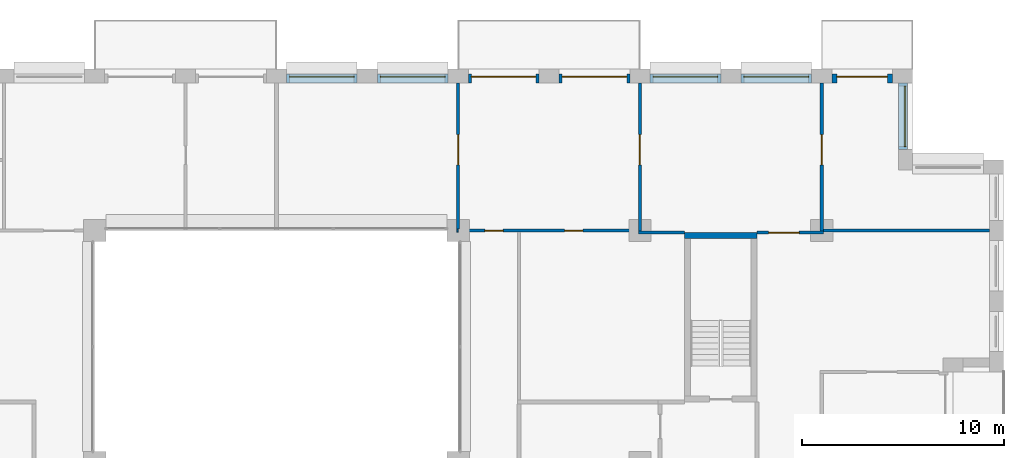
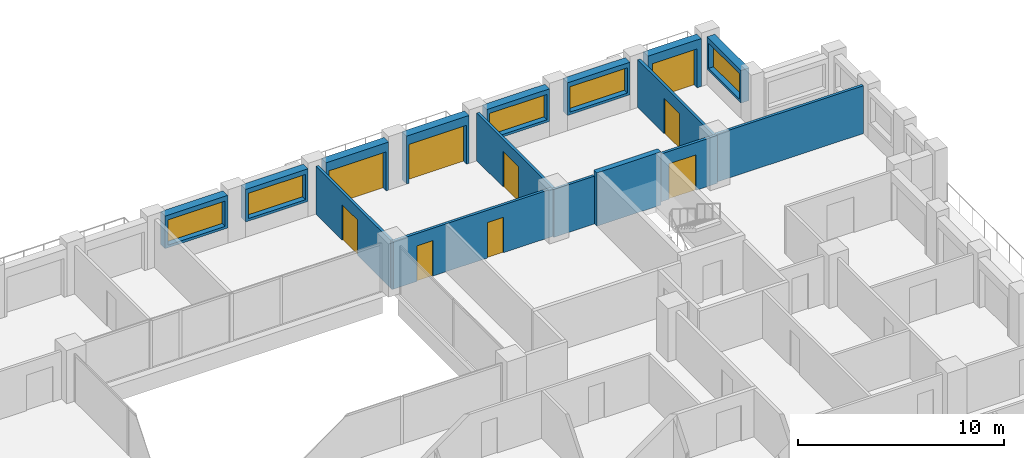
# One storey, part 13 of 15: 17 walls, 9 doors, 5 windows, 14 openings.
"""IFC4 building model written with IfcOpenShell, lengths in metres."""

from ifc_helpers import new_model, si_unit, direction, frame, frame_2d, origin, place, context, subcontext, project, spatial, rectangle, extrude, material, layer, layer_set, type_object, element, fill, save


model = new_model("IFC4")

# Units and contexts
model_context = context("Model", 3, precision=1e-05, world=origin(), true_north=direction((0.0, 1.0)))
body_context = subcontext(model_context, "Body", "Model", "MODEL_VIEW")
ifc_project = project(units=[si_unit("LENGTHUNIT", "METRE"), si_unit("AREAUNIT", "SQUARE_METRE"), si_unit("VOLUMEUNIT", "CUBIC_METRE"), si_unit("PLANEANGLEUNIT", "RADIAN"), si_unit("MASSUNIT", "GRAM", prefix="KILO")], contexts=[model_context])

# Site, building, storey
site_placement = place(None, origin())
site = spatial("IfcSite", under=ifc_project, at=site_placement, CompositionType="ELEMENT")
building_placement = place(site_placement, origin())
building = spatial("IfcBuilding", under=site, at=building_placement, Name="Brigalow Station Residences", CompositionType="ELEMENT")
storey_placement = place(building_placement, frame((0.0, 0.0, 147.60009765625)))
storey = spatial("IfcBuildingStorey", under=building, at=storey_placement, Name="L42", CompositionType="ELEMENT", Elevation=147.60009765625)

# Wall, opening, window
ifc_material_1 = material(Name="Clay brick masonry", Category="masonry")
ifc_layer_1 = layer(ifc_material_1, 0.449951171875)
ifc_layer_set_1 = layer_set([ifc_layer_1], Name="BRICK INFILL WALL 450")
wall_type_1 = type_object("IfcWallType", Name="BRICK INFILL WALL 450", PredefinedType="SOLIDWALL", material=ifc_layer_set_1)
wall_1_placement = place(storey_placement, frame((67.02490234375, 39.5, 0.89990234375), z_axis=(0.0, 0.0, 1.0), x_axis=(0.0, 1.0, 0.0)))
wall_1 = element("IfcWall", 1, at=wall_1_placement, inside=storey, type_object=wall_type_1, Name="L42/ewall/W-L42-21", PredefinedType="SOLIDWALL", context=body_context, shape_type="SweptSolid", body=[
    extrude(rectangle(XDim=3.300048828125, YDim=0.449951171875, at=frame_2d((1.64990234375, 0.0))), origin(), (0.0, 0.0, 1.0), 1.929931640625),
])
opening_1_placement = place(wall_1_placement, frame((0.14990234375, 0.0, 0.14990234375)))
opening_1 = element("IfcOpeningElement", 2, at=opening_1_placement, cuts=wall_1, Name="Opening WT-2", PredefinedType="OPENING", context=body_context, shape_type="SweptSolid", body=[
    extrude(rectangle(XDim=3.0, YDim=1.5, at=frame_2d((1.5, 0.75))), frame((0.0, 0.23486328125, 0.0), z_axis=(0.0, -1.0, 0.0), x_axis=(1.0, 0.0, 0.0)), (0.0, 0.0, 1.0), 0.469970703125),
])
ifc_material_2 = material(Name="Anodised aluminium frame with double glazing", Category="aluminium")
window_type_1 = type_object("IfcWindowType", Name="WINDOW 3000x1500", PartitioningType="SINGLE_PANEL", PredefinedType="WINDOW", material=ifc_material_2)
window_1_placement = place(opening_1_placement, origin())
window_1 = element("IfcWindow", 3, at=window_1_placement, inside=storey, type_object=window_type_1, Name="L42/window/W-L42-21", OverallHeight=1.5, OverallWidth=3.0, PartitioningType="SINGLE_PANEL", PredefinedType="WINDOW", context=body_context, shape_type="SweptSolid", body=[
    extrude(rectangle(XDim=3.0, YDim=1.5, at=frame_2d((1.5, 0.75))), frame((0.0, -0.06494140625, 0.0), z_axis=(0.0, -1.0, 0.0), x_axis=(1.0, 0.0, 0.0)), (0.0, 0.0, 1.0), 0.06005859375),
])
fill(opening_1, window_1)

# Wall, opening, door
wall_2_placement = place(storey_placement, frame((66.5, 43.02490234375, 0.0), z_axis=(0.0, 0.0, 1.0), x_axis=(-1.0, 0.0, 0.0)))
wall_2 = element("IfcWall", 4, at=wall_2_placement, inside=storey, type_object=wall_type_1, Name="L42/ewall/W-L42-22", PredefinedType="SOLIDWALL", context=body_context, shape_type="SweptSolid", body=[
    extrude(rectangle(XDim=3.0, YDim=0.449951171875, at=frame_2d((1.5, 0.0))), origin(), (0.0, 0.0, 1.0), 2.829833984375),
])
opening_2_placement = place(wall_2_placement, frame((0.25, 0.0, 0.0)))
opening_2 = element("IfcOpeningElement", 5, at=opening_2_placement, cuts=wall_2, Name="Opening D-B2500", PredefinedType="OPENING", context=body_context, shape_type="SweptSolid", body=[
    extrude(rectangle(XDim=2.5, YDim=2.300048828125, at=frame_2d((1.25, 1.14990234375))), frame((0.0, 0.23486328125, 0.0), z_axis=(0.0, -1.0, 0.0), x_axis=(1.0, 0.0, 0.0)), (0.0, 0.0, 1.0), 0.469970703125),
])
ifc_material_3 = material(Name="Anodised aluminium frame with double glazing", Category="aluminium")
door_type_1 = type_object("IfcDoorType", Name="BALCONY SLIDING DOOR 2500x2300", OperationType="SLIDING_TO_LEFT", PredefinedType="DOOR", material=ifc_material_3)
door_1_placement = place(opening_2_placement, origin())
door_1 = element("IfcDoor", 6, at=door_1_placement, inside=storey, type_object=door_type_1, Name="L42/balcony-door/W-L42-22", OperationType="SLIDING_TO_LEFT", OverallHeight=2.300048828125, OverallWidth=2.5, PredefinedType="DOOR", context=body_context, shape_type="SweptSolid", body=[
    extrude(rectangle(XDim=2.5, YDim=2.300048828125, at=frame_2d((1.25, 1.14990234375))), frame((0.0, -0.06982421875, 0.0), z_axis=(0.0, -1.0, 0.0), x_axis=(1.0, 0.0, 0.0)), (0.0, 0.0, 1.0), 0.050048828125),
])
fill(opening_2, door_1)

# Wall, opening, window
wall_3_placement = place(storey_placement, frame((62.5, 43.02490234375, 0.89990234375), z_axis=(0.0, 0.0, 1.0), x_axis=(-1.0, 0.0, 0.0)))
wall_3 = element("IfcWall", 7, at=wall_3_placement, inside=storey, type_object=wall_type_1, Name="L42/ewall/W-L42-23", PredefinedType="SOLIDWALL", context=body_context, shape_type="SweptSolid", body=[
    extrude(rectangle(XDim=3.5, YDim=0.449951171875, at=frame_2d((1.75, 0.0))), origin(), (0.0, 0.0, 1.0), 1.929931640625),
])
opening_3_placement = place(wall_3_placement, frame((0.14990234375, 0.0, 0.14990234375)))
opening_3 = element("IfcOpeningElement", 8, at=opening_3_placement, cuts=wall_3, Name="Opening WT-9", PredefinedType="OPENING", context=body_context, shape_type="SweptSolid", body=[
    extrude(rectangle(XDim=3.199951171875, YDim=1.5, at=frame_2d((1.60009765625, 0.75))), frame((0.0, 0.23486328125, 0.0), z_axis=(0.0, -1.0, 0.0), x_axis=(1.0, 0.0, 0.0)), (0.0, 0.0, 1.0), 0.469970703125),
])
ifc_material_4 = material(Name="Anodised aluminium frame with double glazing", Category="aluminium")
window_type_2 = type_object("IfcWindowType", Name="WINDOW 3200x1500", PartitioningType="SINGLE_PANEL", PredefinedType="WINDOW", material=ifc_material_4)
window_2_placement = place(opening_3_placement, origin())
window_2 = element("IfcWindow", 9, at=window_2_placement, inside=storey, type_object=window_type_2, Name="L42/window/W-L42-23", OverallHeight=1.5, OverallWidth=3.199951171875, PartitioningType="SINGLE_PANEL", PredefinedType="WINDOW", context=body_context, shape_type="SweptSolid", body=[
    extrude(rectangle(XDim=3.199951171875, YDim=1.5, at=frame_2d((1.60009765625, 0.75))), frame((0.0, -0.06494140625, 0.0), z_axis=(0.0, -1.0, 0.0), x_axis=(1.0, 0.0, 0.0)), (0.0, 0.0, 1.0), 0.06005859375),
])
fill(opening_3, window_2)

wall_4_placement = place(storey_placement, frame((58.0, 43.02490234375, 0.89990234375), z_axis=(0.0, 0.0, 1.0), x_axis=(-1.0, 0.0, 0.0)))
wall_4 = element("IfcWall", 10, at=wall_4_placement, inside=storey, type_object=wall_type_1, Name="L42/ewall/W-L42-24", PredefinedType="SOLIDWALL", context=body_context, shape_type="SweptSolid", body=[
    extrude(rectangle(XDim=3.5, YDim=0.449951171875, at=frame_2d((1.75, 0.0))), origin(), (0.0, 0.0, 1.0), 1.929931640625),
])
opening_4_placement = place(wall_4_placement, frame((0.14990234375, 0.0, 0.14990234375)))
opening_4 = element("IfcOpeningElement", 11, at=opening_4_placement, cuts=wall_4, Name="Opening WT-9", PredefinedType="OPENING", context=body_context, shape_type="SweptSolid", body=[
    extrude(rectangle(XDim=3.199951171875, YDim=1.5, at=frame_2d((1.60009765625, 0.75))), frame((0.0, 0.23486328125, 0.0), z_axis=(0.0, -1.0, 0.0), x_axis=(1.0, 0.0, 0.0)), (0.0, 0.0, 1.0), 0.469970703125),
])
window_3_placement = place(opening_4_placement, origin())
window_3 = element("IfcWindow", 12, at=window_3_placement, inside=storey, type_object=window_type_2, Name="L42/window/W-L42-24", OverallHeight=1.5, OverallWidth=3.199951171875, PartitioningType="SINGLE_PANEL", PredefinedType="WINDOW", context=body_context, shape_type="SweptSolid", body=[
    extrude(rectangle(XDim=3.199951171875, YDim=1.5, at=frame_2d((1.60009765625, 0.75))), frame((0.0, -0.06494140625, 0.0), z_axis=(0.0, -1.0, 0.0), x_axis=(1.0, 0.0, 0.0)), (0.0, 0.0, 1.0), 0.06005859375),
])
fill(opening_4, window_3)

# Wall, opening, door
wall_5_placement = place(storey_placement, frame((53.5, 43.02490234375, 0.0), z_axis=(0.0, 0.0, 1.0), x_axis=(-1.0, 0.0, 0.0)))
wall_5 = element("IfcWall", 13, at=wall_5_placement, inside=storey, type_object=wall_type_1, Name="L42/ewall/W-L42-25", PredefinedType="SOLIDWALL", context=body_context, shape_type="SweptSolid", body=[
    extrude(rectangle(XDim=3.5, YDim=0.449951171875, at=frame_2d((1.75, 0.0))), origin(), (0.0, 0.0, 1.0), 2.829833984375),
])
opening_5_placement = place(wall_5_placement, frame((0.14990234375, 0.0, 0.0)))
opening_5 = element("IfcOpeningElement", 14, at=opening_5_placement, cuts=wall_5, Name="Opening D-B3200", PredefinedType="OPENING", context=body_context, shape_type="SweptSolid", body=[
    extrude(rectangle(XDim=3.199951171875, YDim=2.300048828125, at=frame_2d((1.60009765625, 1.14990234375))), frame((0.0, 0.23486328125, 0.0), z_axis=(0.0, -1.0, 0.0), x_axis=(1.0, 0.0, 0.0)), (0.0, 0.0, 1.0), 0.469970703125),
])
ifc_material_5 = material(Name="Anodised aluminium frame with double glazing", Category="aluminium")
door_type_2 = type_object("IfcDoorType", Name="BALCONY SLIDING DOOR 3200x2300", OperationType="SLIDING_TO_LEFT", PredefinedType="DOOR", material=ifc_material_5)
door_2_placement = place(opening_5_placement, origin())
door_2 = element("IfcDoor", 15, at=door_2_placement, inside=storey, type_object=door_type_2, Name="L42/balcony-door/W-L42-25", OperationType="SLIDING_TO_LEFT", OverallHeight=2.300048828125, OverallWidth=3.199951171875, PredefinedType="DOOR", context=body_context, shape_type="SweptSolid", body=[
    extrude(rectangle(XDim=3.199951171875, YDim=2.300048828125, at=frame_2d((1.60009765625, 1.14990234375))), frame((0.0, -0.06982421875, 0.0), z_axis=(0.0, -1.0, 0.0), x_axis=(1.0, 0.0, 0.0)), (0.0, 0.0, 1.0), 0.050048828125),
])
fill(opening_5, door_2)

wall_6_placement = place(storey_placement, frame((49.0, 43.02490234375, 0.0), z_axis=(0.0, 0.0, 1.0), x_axis=(-1.0, 0.0, 0.0)))
wall_6 = element("IfcWall", 16, at=wall_6_placement, inside=storey, type_object=wall_type_1, Name="L42/ewall/W-L42-26", PredefinedType="SOLIDWALL", context=body_context, shape_type="SweptSolid", body=[
    extrude(rectangle(XDim=3.5, YDim=0.449951171875, at=frame_2d((1.75, 0.0))), origin(), (0.0, 0.0, 1.0), 2.829833984375),
])
opening_6_placement = place(wall_6_placement, frame((0.14990234375, 0.0, 0.0)))
opening_6 = element("IfcOpeningElement", 17, at=opening_6_placement, cuts=wall_6, Name="Opening D-B3200", PredefinedType="OPENING", context=body_context, shape_type="SweptSolid", body=[
    extrude(rectangle(XDim=3.199951171875, YDim=2.300048828125, at=frame_2d((1.60009765625, 1.14990234375))), frame((0.0, 0.23486328125, 0.0), z_axis=(0.0, -1.0, 0.0), x_axis=(1.0, 0.0, 0.0)), (0.0, 0.0, 1.0), 0.469970703125),
])
door_3_placement = place(opening_6_placement, origin())
door_3 = element("IfcDoor", 18, at=door_3_placement, inside=storey, type_object=door_type_2, Name="L42/balcony-door/W-L42-26", OperationType="SLIDING_TO_LEFT", OverallHeight=2.300048828125, OverallWidth=3.199951171875, PredefinedType="DOOR", context=body_context, shape_type="SweptSolid", body=[
    extrude(rectangle(XDim=3.199951171875, YDim=2.300048828125, at=frame_2d((1.60009765625, 1.14990234375))), frame((0.0, -0.06982421875, 0.0), z_axis=(0.0, -1.0, 0.0), x_axis=(1.0, 0.0, 0.0)), (0.0, 0.0, 1.0), 0.050048828125),
])
fill(opening_6, door_3)

# Wall, opening, window
wall_7_placement = place(storey_placement, frame((44.5, 43.02490234375, 0.89990234375), z_axis=(0.0, 0.0, 1.0), x_axis=(-1.0, 0.0, 0.0)))
wall_7 = element("IfcWall", 19, at=wall_7_placement, inside=storey, type_object=wall_type_1, Name="L42/ewall/W-L42-27", PredefinedType="SOLIDWALL", context=body_context, shape_type="SweptSolid", body=[
    extrude(rectangle(XDim=3.5, YDim=0.449951171875, at=frame_2d((1.75, 0.0))), origin(), (0.0, 0.0, 1.0), 1.929931640625),
])
opening_7_placement = place(wall_7_placement, frame((0.14990234375, 0.0, 0.14990234375)))
opening_7 = element("IfcOpeningElement", 20, at=opening_7_placement, cuts=wall_7, Name="Opening WT-9", PredefinedType="OPENING", context=body_context, shape_type="SweptSolid", body=[
    extrude(rectangle(XDim=3.199951171875, YDim=1.5, at=frame_2d((1.60009765625, 0.75))), frame((0.0, 0.23486328125, 0.0), z_axis=(0.0, -1.0, 0.0), x_axis=(1.0, 0.0, 0.0)), (0.0, 0.0, 1.0), 0.469970703125),
])
window_4_placement = place(opening_7_placement, origin())
window_4 = element("IfcWindow", 21, at=window_4_placement, inside=storey, type_object=window_type_2, Name="L42/window/W-L42-27", OverallHeight=1.5, OverallWidth=3.199951171875, PartitioningType="SINGLE_PANEL", PredefinedType="WINDOW", context=body_context, shape_type="SweptSolid", body=[
    extrude(rectangle(XDim=3.199951171875, YDim=1.5, at=frame_2d((1.60009765625, 0.75))), frame((0.0, -0.06494140625, 0.0), z_axis=(0.0, -1.0, 0.0), x_axis=(1.0, 0.0, 0.0)), (0.0, 0.0, 1.0), 0.06005859375),
])
fill(opening_7, window_4)

wall_8_placement = place(storey_placement, frame((40.0, 43.02490234375, 0.89990234375), z_axis=(0.0, 0.0, 1.0), x_axis=(-1.0, 0.0, 0.0)))
wall_8 = element("IfcWall", 22, at=wall_8_placement, inside=storey, type_object=wall_type_1, Name="L42/ewall/W-L42-28", PredefinedType="SOLIDWALL", context=body_context, shape_type="SweptSolid", body=[
    extrude(rectangle(XDim=3.5, YDim=0.449951171875, at=frame_2d((1.75, 0.0))), origin(), (0.0, 0.0, 1.0), 1.929931640625),
])
opening_8_placement = place(wall_8_placement, frame((0.14990234375, 0.0, 0.14990234375)))
opening_8 = element("IfcOpeningElement", 23, at=opening_8_placement, cuts=wall_8, Name="Opening WT-9", PredefinedType="OPENING", context=body_context, shape_type="SweptSolid", body=[
    extrude(rectangle(XDim=3.199951171875, YDim=1.5, at=frame_2d((1.60009765625, 0.75))), frame((0.0, 0.23486328125, 0.0), z_axis=(0.0, -1.0, 0.0), x_axis=(1.0, 0.0, 0.0)), (0.0, 0.0, 1.0), 0.469970703125),
])
window_5_placement = place(opening_8_placement, origin())
window_5 = element("IfcWindow", 24, at=window_5_placement, inside=storey, type_object=window_type_2, Name="L42/window/W-L42-28", OverallHeight=1.5, OverallWidth=3.199951171875, PartitioningType="SINGLE_PANEL", PredefinedType="WINDOW", context=body_context, shape_type="SweptSolid", body=[
    extrude(rectangle(XDim=3.199951171875, YDim=1.5, at=frame_2d((1.60009765625, 0.75))), frame((0.0, -0.06494140625, 0.0), z_axis=(0.0, -1.0, 0.0), x_axis=(1.0, 0.0, 0.0)), (0.0, 0.0, 1.0), 0.06005859375),
])
fill(opening_8, window_5)

# Walls
ifc_material_6 = material(Name="Concrete C65", Category="concrete")
ifc_layer_2 = layer(ifc_material_6, 0.300048828125)
ifc_layer_set_2 = layer_set([ifc_layer_2], Name="CORE SHEAR WALL 300 C65")
wall_type_2 = type_object("IfcWallType", Name="CORE SHEAR WALL 300 C65", PredefinedType="SHEAR", material=ifc_layer_set_2)
wall_9_placement = place(storey_placement, frame((56.199951171875, 35.25, 0.0), z_axis=(0.0, 0.0, 1.0), x_axis=(1.0, 0.0, 0.0)))
element("IfcWall", 25, at=wall_9_placement, inside=storey, type_object=wall_type_2, Name="CORE WALL ST-S3-N L42", PredefinedType="SHEAR", context=body_context, shape_type="SweptSolid", body=[
    extrude(rectangle(XDim=3.60009765625, YDim=0.300048828125, at=frame_2d((1.800048828125, 0.0))), origin(), (0.0, 0.0, 1.0), 3.14990234375),
])
ifc_material_7 = material(Name="Plasterboard on steel stud partition", Category="steel")
ifc_layer_3 = layer(ifc_material_7, 0.14990234375)
ifc_layer_set_3 = layer_set([ifc_layer_3], Name="FLAT PARTITION 150")
wall_type_3 = type_object("IfcWallType", Name="FLAT PARTITION 150", PredefinedType="PARTITIONING", material=ifc_layer_set_3)
wall_10_placement = place(storey_placement, frame((53.925048828125, 35.39990234375, 0.0), z_axis=(0.0, 0.0, 1.0), x_axis=(1.0, 0.0, 0.0)))
element("IfcWall", 26, at=wall_10_placement, inside=storey, type_object=wall_type_3, Name="PW-3A19", PredefinedType="PARTITIONING", context=body_context, shape_type="SweptSolid", body=[
    extrude(rectangle(XDim=2.27490234375, YDim=0.14990234375, at=frame_2d((1.137451171875, 0.0))), origin(), (0.0, 0.0, 1.0), 2.829833984375),
])

# Wall, opening, door
wall_11_placement = place(storey_placement, frame((59.800048828125, 35.39990234375, 0.0), z_axis=(0.0, 0.0, 1.0), x_axis=(1.0, 0.0, 0.0)))
wall_11 = element("IfcWall", 27, at=wall_11_placement, inside=storey, type_object=wall_type_3, Name="PW-3A20", PredefinedType="PARTITIONING", context=body_context, shape_type="SweptSolid", body=[
    extrude(rectangle(XDim=3.27490234375, YDim=0.14990234375, at=frame_2d((1.637451171875, 0.0))), origin(), (0.0, 0.0, 1.0), 2.829833984375),
])
opening_9_placement = place(wall_11_placement, frame((0.574951171875, 0.0, 0.0)))
opening_9 = element("IfcOpeningElement", 28, at=opening_9_placement, cuts=wall_11, Name="Opening D-3A31", PredefinedType="OPENING", context=body_context, shape_type="SweptSolid", body=[
    extrude(rectangle(XDim=1.5, YDim=2.10009765625, at=frame_2d((0.75, 1.050048828125))), frame((0.0, 0.0849609375, 0.0), z_axis=(0.0, -1.0, 0.0), x_axis=(1.0, 0.0, 0.0)), (0.0, 0.0, 1.0), 0.169921875),
])
ifc_material_8 = material(Name="Solid-core timber door leaf", Category="wood")
door_type_3 = type_object("IfcDoorType", Name="INTERNAL DOUBLE DOOR 1500 x 2100", OperationType="DOUBLE_DOOR_SINGLE_SWING", PredefinedType="DOOR", material=ifc_material_8)
door_4_placement = place(opening_9_placement, origin())
door_4 = element("IfcDoor", 29, at=door_4_placement, inside=storey, type_object=door_type_3, Name="D-3A31", OperationType="DOUBLE_DOOR_SINGLE_SWING", OverallHeight=2.10009765625, OverallWidth=1.5, PredefinedType="DOOR", context=body_context, shape_type="SweptSolid", body=[
    extrude(rectangle(XDim=1.5, YDim=2.10009765625, at=frame_2d((0.75, 1.050048828125))), frame((0.0, 0.02490234375, 0.0), z_axis=(0.0, -1.0, 0.0), x_axis=(1.0, 0.0, 0.0)), (0.0, 0.0, 1.0), 0.050048828125),
])
fill(opening_9, door_4)

# Wall
wall_12_placement = place(storey_placement, frame((44.925048828125, 35.5, 0.0), z_axis=(0.0, 0.0, 1.0), x_axis=(1.0, 0.0, 0.0)))
element("IfcWall", 30, at=wall_12_placement, inside=storey, type_object=wall_type_3, Name="PW-3A23", PredefinedType="PARTITIONING", context=body_context, shape_type="SweptSolid", body=[
    extrude(rectangle(XDim=0.074951171875, YDim=0.14990234375, at=frame_2d((0.03759765625, 0.0))), origin(), (0.0, 0.0, 1.0), 2.829833984375),
])

# Wall, openings, doors
wall_13_placement = place(storey_placement, frame((45.0, 35.5, 0.0), z_axis=(0.0, 0.0, 1.0), x_axis=(1.0, 0.0, 0.0)))
wall_13 = element("IfcWall", 31, at=wall_13_placement, inside=storey, type_object=wall_type_3, Name="PW-3A24", PredefinedType="PARTITIONING", context=body_context, shape_type="SweptSolid", body=[
    extrude(rectangle(XDim=8.925048828125, YDim=0.14990234375, at=frame_2d((4.46240234375, 0.0))), origin(), (0.0, 0.0, 1.0), 2.829833984375),
])
opening_10_placement = place(wall_13_placement, frame((5.27490234375, 0.0, 0.0)))
opening_10 = element("IfcOpeningElement", 32, at=opening_10_placement, cuts=wall_13, Name="Opening D-3A34", PredefinedType="OPENING", context=body_context, shape_type="SweptSolid", body=[
    extrude(rectangle(XDim=0.89990234375, YDim=2.10009765625, at=frame_2d((0.449951171875, 1.050048828125))), frame((0.0, 0.0849609375, 0.0), z_axis=(0.0, -1.0, 0.0), x_axis=(1.0, 0.0, 0.0)), (0.0, 0.0, 1.0), 0.169921875),
])
opening_11_placement = place(wall_13_placement, frame((1.324951171875, 0.0, 0.0)))
opening_11 = element("IfcOpeningElement", 33, at=opening_11_placement, cuts=wall_13, Name="Opening D-3A35", PredefinedType="OPENING", context=body_context, shape_type="SweptSolid", body=[
    extrude(rectangle(XDim=0.89990234375, YDim=2.10009765625, at=frame_2d((0.449951171875, 1.050048828125))), frame((0.0, 0.0849609375, 0.0), z_axis=(0.0, -1.0, 0.0), x_axis=(1.0, 0.0, 0.0)), (0.0, 0.0, 1.0), 0.169921875),
])
ifc_material_9 = material(Name="Solid-core timber door leaf", Category="wood")
door_type_4 = type_object("IfcDoorType", Name="INTERNAL DOOR 900 x 2100", OperationType="SINGLE_SWING_LEFT", PredefinedType="DOOR", material=ifc_material_9)
door_5_placement = place(opening_10_placement, origin())
door_5 = element("IfcDoor", 34, at=door_5_placement, inside=storey, type_object=door_type_4, Name="D-3A34", OperationType="SINGLE_SWING_RIGHT", OverallHeight=2.10009765625, OverallWidth=0.89990234375, PredefinedType="DOOR", context=body_context, shape_type="SweptSolid", body=[
    extrude(rectangle(XDim=0.89990234375, YDim=2.10009765625, at=frame_2d((0.449951171875, 1.050048828125))), frame((0.0, 0.02490234375, 0.0), z_axis=(0.0, -1.0, 0.0), x_axis=(1.0, 0.0, 0.0)), (0.0, 0.0, 1.0), 0.050048828125),
])
fill(opening_10, door_5)
door_6_placement = place(opening_11_placement, frame((0.89990234375, 0.0, 0.0), z_axis=(0.0, 0.0, 1.0), x_axis=(-1.0, 0.0, 0.0)))
door_6 = element("IfcDoor", 35, at=door_6_placement, inside=storey, type_object=door_type_4, Name="D-3A35", OperationType="SINGLE_SWING_LEFT", OverallHeight=2.10009765625, OverallWidth=0.89990234375, PredefinedType="DOOR", context=body_context, shape_type="SweptSolid", body=[
    extrude(rectangle(XDim=0.89990234375, YDim=2.10009765625, at=frame_2d((0.449951171875, 1.050048828125))), frame((0.0, 0.02490234375, 0.0), z_axis=(0.0, -1.0, 0.0), x_axis=(1.0, 0.0, 0.0)), (0.0, 0.0, 1.0), 0.050048828125),
])
fill(opening_11, door_6)

# Wall
wall_14_placement = place(storey_placement, frame((63.074951171875, 35.5, 0.0), z_axis=(0.0, 0.0, 1.0), x_axis=(1.0, 0.0, 0.0)))
element("IfcWall", 36, at=wall_14_placement, inside=storey, type_object=wall_type_3, Name="PW-3A25", PredefinedType="PARTITIONING", context=body_context, shape_type="SweptSolid", body=[
    extrude(rectangle(XDim=8.22509765625, YDim=0.14990234375, at=frame_2d((4.112548828125, 0.0))), origin(), (0.0, 0.0, 1.0), 2.829833984375),
])

# Wall, opening, door
wall_15_placement = place(storey_placement, frame((54.0, 35.47509765625, 0.0), z_axis=(0.0, 0.0, 1.0), x_axis=(0.0, 1.0, 0.0)))
wall_15 = element("IfcWall", 37, at=wall_15_placement, inside=storey, type_object=wall_type_3, Name="PW-3A31", PredefinedType="PARTITIONING", context=body_context, shape_type="SweptSolid", body=[
    extrude(rectangle(XDim=7.324951171875, YDim=0.14990234375, at=frame_2d((3.66259765625, 0.0))), origin(), (0.0, 0.0, 1.0), 2.829833984375),
])
opening_12_placement = place(wall_15_placement, frame((3.27490234375, 0.0, 0.0)))
opening_12 = element("IfcOpeningElement", 38, at=opening_12_placement, cuts=wall_15, Name="Opening D-3A32", PredefinedType="OPENING", context=body_context, shape_type="SweptSolid", body=[
    extrude(rectangle(XDim=1.5, YDim=2.10009765625, at=frame_2d((0.75, 1.050048828125))), frame((0.0, 0.0849609375, 0.0), z_axis=(0.0, -1.0, 0.0), x_axis=(1.0, 0.0, 0.0)), (0.0, 0.0, 1.0), 0.169921875),
])
door_7_placement = place(opening_12_placement, origin())
door_7 = element("IfcDoor", 39, at=door_7_placement, inside=storey, type_object=door_type_3, Name="D-3A32", OperationType="DOUBLE_DOOR_SINGLE_SWING", OverallHeight=2.10009765625, OverallWidth=1.5, PredefinedType="DOOR", context=body_context, shape_type="SweptSolid", body=[
    extrude(rectangle(XDim=1.5, YDim=2.10009765625, at=frame_2d((0.75, 1.050048828125))), frame((0.0, 0.02490234375, 0.0), z_axis=(0.0, -1.0, 0.0), x_axis=(1.0, 0.0, 0.0)), (0.0, 0.0, 1.0), 0.050048828125),
])
fill(opening_12, door_7)

wall_16_placement = place(storey_placement, frame((63.0, 35.47509765625, 0.0), z_axis=(0.0, 0.0, 1.0), x_axis=(0.0, 1.0, 0.0)))
wall_16 = element("IfcWall", 40, at=wall_16_placement, inside=storey, type_object=wall_type_3, Name="PW-3A49", PredefinedType="PARTITIONING", context=body_context, shape_type="SweptSolid", body=[
    extrude(rectangle(XDim=7.324951171875, YDim=0.14990234375, at=frame_2d((3.66259765625, 0.0))), origin(), (0.0, 0.0, 1.0), 2.829833984375),
])
opening_13_placement = place(wall_16_placement, frame((3.27490234375, 0.0, 0.0)))
opening_13 = element("IfcOpeningElement", 41, at=opening_13_placement, cuts=wall_16, Name="Opening D-3A36", PredefinedType="OPENING", context=body_context, shape_type="SweptSolid", body=[
    extrude(rectangle(XDim=1.5, YDim=2.10009765625, at=frame_2d((0.75, 1.050048828125))), frame((0.0, 0.0849609375, 0.0), z_axis=(0.0, -1.0, 0.0), x_axis=(1.0, 0.0, 0.0)), (0.0, 0.0, 1.0), 0.169921875),
])
door_8_placement = place(opening_13_placement, frame((1.5, 0.0, 0.0), z_axis=(0.0, 0.0, 1.0), x_axis=(-1.0, 0.0, 0.0)))
door_8 = element("IfcDoor", 42, at=door_8_placement, inside=storey, type_object=door_type_3, Name="D-3A36", OperationType="DOUBLE_DOOR_SINGLE_SWING", OverallHeight=2.10009765625, OverallWidth=1.5, PredefinedType="DOOR", context=body_context, shape_type="SweptSolid", body=[
    extrude(rectangle(XDim=1.5, YDim=2.10009765625, at=frame_2d((0.75, 1.050048828125))), frame((0.0, 0.02490234375, 0.0), z_axis=(0.0, -1.0, 0.0), x_axis=(1.0, 0.0, 0.0)), (0.0, 0.0, 1.0), 0.050048828125),
])
fill(opening_13, door_8)

wall_17_placement = place(storey_placement, frame((45.0, 35.574951171875, 0.0), z_axis=(0.0, 0.0, 1.0), x_axis=(0.0, 1.0, 0.0)))
wall_17 = element("IfcWall", 43, at=wall_17_placement, inside=storey, type_object=wall_type_3, Name="PW-3A52", PredefinedType="PARTITIONING", context=body_context, shape_type="SweptSolid", body=[
    extrude(rectangle(XDim=7.22509765625, YDim=0.14990234375, at=frame_2d((3.612548828125, 0.0))), origin(), (0.0, 0.0, 1.0), 2.829833984375),
])
opening_14_placement = place(wall_17_placement, frame((3.175048828125, 0.0, 0.0)))
opening_14 = element("IfcOpeningElement", 44, at=opening_14_placement, cuts=wall_17, Name="Opening D-3A33", PredefinedType="OPENING", context=body_context, shape_type="SweptSolid", body=[
    extrude(rectangle(XDim=1.5, YDim=2.10009765625, at=frame_2d((0.75, 1.050048828125))), frame((0.0, 0.0849609375, 0.0), z_axis=(0.0, -1.0, 0.0), x_axis=(1.0, 0.0, 0.0)), (0.0, 0.0, 1.0), 0.169921875),
])
door_9_placement = place(opening_14_placement, origin())
door_9 = element("IfcDoor", 45, at=door_9_placement, inside=storey, type_object=door_type_3, Name="D-3A33", OperationType="DOUBLE_DOOR_SINGLE_SWING", OverallHeight=2.10009765625, OverallWidth=1.5, PredefinedType="DOOR", context=body_context, shape_type="SweptSolid", body=[
    extrude(rectangle(XDim=1.5, YDim=2.10009765625, at=frame_2d((0.75, 1.050048828125))), frame((0.0, 0.02490234375, 0.0), z_axis=(0.0, -1.0, 0.0), x_axis=(1.0, 0.0, 0.0)), (0.0, 0.0, 1.0), 0.050048828125),
])
fill(opening_14, door_9)

save(model, "model.ifc")
